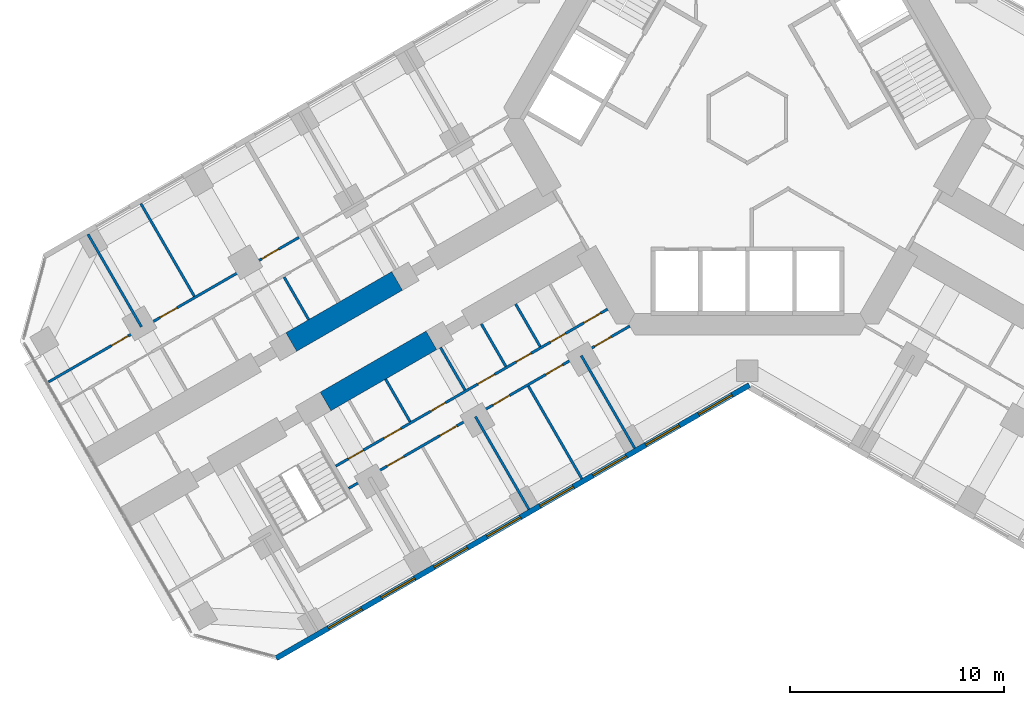
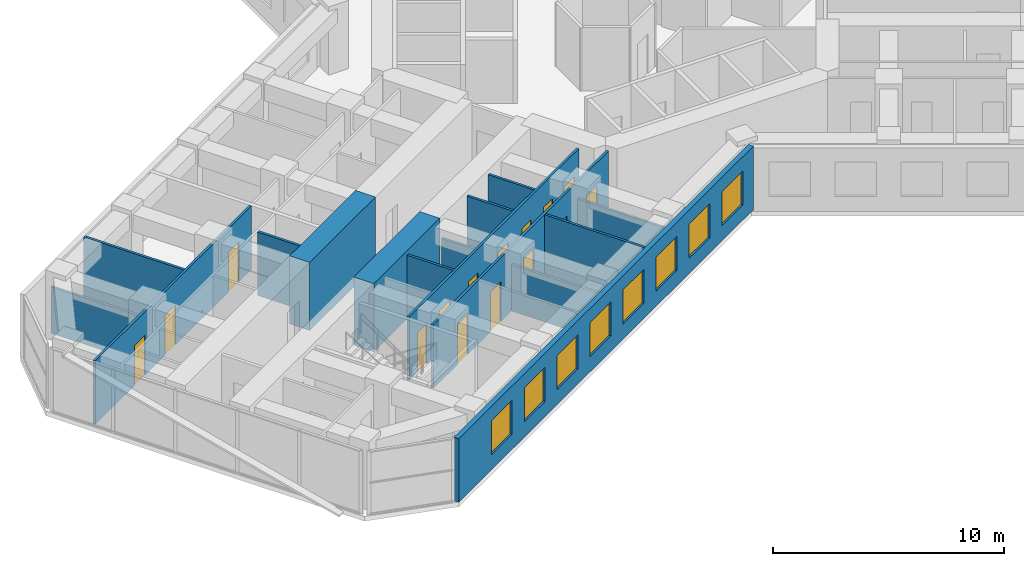
# One storey, part 11 of 21: 16 walls, 15 doors, 8 windows, 23 openings.
"""IFC4 building model written with IfcOpenShell, lengths in metres."""

import ifcopenshell
import ifcopenshell.guid

model = None  # the IFC model being written
_history = None  # IfcOwnerHistory: only IFC2X3 demands one
_inside = {}  # id of a spatial element -> (the spatial element, [elements in it])
_under = {}  # id of a project, library or spatial element -> (it, [spatial elements below it])
_declared = {}  # id of a project -> (the project, [libraries it declares])
_typed = {}  # id of a type object -> (the type object, [elements of that type])
_made_of = {}  # id of a material, layer set ... -> (it, [elements and type objects made of it])


def new_model(schema):
    """Start an empty IFC model of exactly this schema.

    Asked for "IFC4X3", IfcOpenShell would pick the latest addendum, in which some entities
    have other attributes; the version numbers below select the first issue.
    IFC2X3 requires an IfcOwnerHistory on every rooted entity: one is made here for all.
    """
    global model, _history
    if schema == "IFC4X3":
        model = ifcopenshell.file(schema_version=(4, 3, 0, 0))
    else:
        model = ifcopenshell.file(schema=schema)
    _inside.clear()
    _under.clear()
    _declared.clear()
    _typed.clear()
    _made_of.clear()
    _history = None
    if model.schema == "IFC2X3":
        org = make("IfcOrganization", Name="unknown")
        user = make(
            "IfcPersonAndOrganization",
            ThePerson=make("IfcPerson", FamilyName="unknown"),
            TheOrganization=org,
        )
        app = make(
            "IfcApplication",
            ApplicationDeveloper=org,
            Version="unknown",
            ApplicationFullName="unknown",
            ApplicationIdentifier="unknown",
        )
        _history = make(
            "IfcOwnerHistory",
            OwningUser=user,
            OwningApplication=app,
            ChangeAction="ADDED",
            CreationDate=0,
        )
    return model


def make(cls, **values):
    """One entity of the class cls with the attributes given. An attribute that is None is left unset."""
    return model.create_entity(
        cls, **{name: value for name, value in values.items() if value is not None}
    )


def rooted(cls, **values):
    """An entity with a GlobalId (a new one), such as an element, a storey or a relation."""
    return make(cls, GlobalId=ifcopenshell.guid.new(), OwnerHistory=_history, **values)


def si_unit(unit_type, name, prefix=None):
    """IfcSIUnit, for example si_unit("LENGTHUNIT", "METRE", prefix="MILLI")."""
    return make("IfcSIUnit", UnitType=unit_type, Prefix=prefix, Name=name)


def assignment(units):
    """IfcUnitAssignment: the units of a project."""
    return None if units is None else make("IfcUnitAssignment", Units=units)


def point(xyz):
    """IfcCartesianPoint."""
    return None if xyz is None else make("IfcCartesianPoint", Coordinates=xyz)


def direction(xyz):
    """IfcDirection."""
    return None if xyz is None else make("IfcDirection", DirectionRatios=xyz)


def frame(location, z_axis=None, x_axis=None):
    """IfcAxis2Placement3D, a coordinate frame: its origin and axes. An axis left out is left unset."""
    return make(
        "IfcAxis2Placement3D",
        Location=point(location),
        Axis=direction(z_axis),
        RefDirection=direction(x_axis),
    )


def frame_2d(location, x_axis=None):
    """IfcAxis2Placement2D, a coordinate frame in the plane: its origin and x axis."""
    return make(
        "IfcAxis2Placement2D", Location=point(location), RefDirection=direction(x_axis)
    )


def origin():
    """The frame at (0, 0, 0) with its axes left unset."""
    return frame((0.0, 0.0, 0.0))


def place(relative_to, where):
    """IfcLocalPlacement: puts the frame where relative to a parent placement (None: the world)."""
    return make(
        "IfcLocalPlacement", PlacementRelTo=relative_to, RelativePlacement=where
    )


def context(
    kind, dimensions, precision=None, world=None, true_north=None, identifier=None
):
    """IfcGeometricRepresentationContext, for example the 3D "Model" context."""
    return make(
        "IfcGeometricRepresentationContext",
        ContextIdentifier=identifier,
        ContextType=kind,
        CoordinateSpaceDimension=dimensions,
        Precision=precision,
        WorldCoordinateSystem=world,
        TrueNorth=true_north,
    )


def subcontext(parent, identifier, kind, view, scale=None):
    """IfcGeometricRepresentationSubContext, for example "Body" below "Model"."""
    return make(
        "IfcGeometricRepresentationSubContext",
        ContextIdentifier=identifier,
        ContextType=kind,
        ParentContext=parent,
        TargetScale=scale,
        TargetView=view,
    )


def project(units=None, contexts=None):
    """IfcProject with its units and contexts."""
    return rooted(
        "IfcProject",
        Name="project",
        RepresentationContexts=contexts,
        UnitsInContext=assignment(units),
    )


def spatial(cls, under=None, at=None, **own):
    """A site, building, storey or space (cls), placed at a placement, below another one or the project."""
    s = rooted(cls, ObjectPlacement=at, **own)
    if under is not None:
        _under.setdefault(under.id(), (under, []))[1].append(s)
    return s


def profile(cls, at=None, kind="AREA", **sizes):
    """A parametric profile (cls). Its sizes go by their IFC names, for example OverallWidth=200.0."""
    return make(cls, ProfileType=kind, Position=at, **sizes)


def rectangle(**sizes):
    """IfcRectangleProfileDef."""
    return profile("IfcRectangleProfileDef", **sizes)


def extrude(swept, where, along, depth):
    """IfcExtrudedAreaSolid: the profile swept, set in the frame where, extruded along a direction by depth."""
    return make(
        "IfcExtrudedAreaSolid",
        SweptArea=swept,
        Position=where,
        ExtrudedDirection=direction(along),
        Depth=depth,
    )


def shape(context_of_items, identifier, shape_type, items):
    """IfcShapeRepresentation: the items that make up one representation, for example the "Body"."""
    return make(
        "IfcShapeRepresentation",
        ContextOfItems=context_of_items,
        RepresentationIdentifier=identifier,
        RepresentationType=shape_type,
        Items=items,
    )


def material(Name=None, Category=None):
    """IfcMaterial."""
    return make("IfcMaterial", Name=Name, Category=Category)


def layer(
    of_material, thickness, ventilated=None, Name=None, Category=None, Priority=None
):
    """IfcMaterialLayer: one layer of a wall or slab, of a material (None: an air gap)."""
    return make(
        "IfcMaterialLayer",
        Material=of_material,
        LayerThickness=thickness,
        IsVentilated=ventilated,
        Name=Name,
        Category=Category,
        Priority=Priority,
    )


def layer_set(layers, Name=None):
    """IfcMaterialLayerSet."""
    return make("IfcMaterialLayerSet", MaterialLayers=layers, LayerSetName=Name)


def made_of(thing, what):
    """Note that an element or type object is made of a material, layer set ...; save() writes the relation."""
    if what is not None:
        _made_of.setdefault(what.id(), (what, []))[1].append(thing)
    return thing


def type_object(cls, material=None, **own):
    """A type object (cls), such as IfcWallType, which elements share."""
    return made_of(rooted(cls, **own), material)


def element(
    cls,
    number,
    at=None,
    inside=None,
    cuts=None,
    type_object=None,
    material=None,
    context=None,
    identifier="Body",
    shape_type=None,
    held_by="IfcProductDefinitionShape",
    body=None,
    shapes=None,
    **own,
):
    """One element of the class cls, such as IfcWall. Its Tag is "e" and its number.

    at: its placement. inside: the storey or other place that contains it. cuts: it is an
    opening in that element (IfcRelVoidsElement). A single representation is given by context,
    identifier, shape_type and body (its items); several are given by shapes. held_by: the class
    of the entity that holds the representations. save() writes the other relations.
    """
    e = rooted(cls, Tag="e%d" % number, ObjectPlacement=at, **own)
    if body is not None:
        shapes = [shape(context, identifier, shape_type, body)]
    if shapes is not None:
        e.Representation = make(held_by, Representations=shapes)
    if inside is not None:
        _inside.setdefault(inside.id(), (inside, []))[1].append(e)
    if cuts is not None:
        rooted(
            "IfcRelVoidsElement", RelatingBuildingElement=cuts, RelatedOpeningElement=e
        )
    if type_object is not None:
        _typed.setdefault(type_object.id(), (type_object, []))[1].append(e)
    return made_of(e, material)


def fill(opening, filler):
    """IfcRelFillsElement: the door or window that sits in an opening."""
    return rooted(
        "IfcRelFillsElement",
        RelatingOpeningElement=opening,
        RelatedBuildingElement=filler,
    )


def aggregate(whole, parts):
    """IfcRelAggregates: a whole, such as a stair, and the parts it consists of."""
    return rooted("IfcRelAggregates", RelatingObject=whole, RelatedObjects=parts)


def save(model, path):
    """Write the relations noted so far, then the file.

    IfcRelAggregates (storeys below a building ...), IfcRelContainedInSpatialStructure (elements
    in a storey), IfcRelDefinesByType, IfcRelAssociatesMaterial and IfcRelDeclares: one each for
    every whole, place, type object, material and project.
    """
    for whole, parts in _under.values():
        aggregate(whole, parts)
    for where, things in _inside.values():
        rooted(
            "IfcRelContainedInSpatialStructure",
            RelatedElements=things,
            RelatingStructure=where,
        )
    for kind, things in _typed.values():
        rooted("IfcRelDefinesByType", RelatedObjects=things, RelatingType=kind)
    for what, things in _made_of.values():
        rooted("IfcRelAssociatesMaterial", RelatedObjects=things, RelatingMaterial=what)
    for by, libraries in _declared.values():
        rooted("IfcRelDeclares", RelatingContext=by, RelatedDefinitions=libraries)
    model.write(path)


model = new_model("IFC4")

# Units and contexts
model_context = context("Model", 3, precision=1e-05, world=origin(), true_north=direction((0.0, 1.0)))
body_context = subcontext(model_context, "Body", "Model", "MODEL_VIEW")
ifc_project = project(units=[si_unit("LENGTHUNIT", "METRE"), si_unit("AREAUNIT", "SQUARE_METRE"), si_unit("VOLUMEUNIT", "CUBIC_METRE"), si_unit("PLANEANGLEUNIT", "RADIAN"), si_unit("MASSUNIT", "GRAM", prefix="KILO")], contexts=[model_context])

# Site, building, storey
site_placement = place(None, origin())
site = spatial("IfcSite", under=ifc_project, at=site_placement, CompositionType="ELEMENT")
building_placement = place(site_placement, origin())
building = spatial("IfcBuilding", under=site, at=building_placement, Name="Kosmar Iwan School Tower", CompositionType="ELEMENT")
storey_placement = place(building_placement, frame((0.0, 0.0, 71.800048828125)))
storey = spatial("IfcBuildingStorey", under=building, at=storey_placement, Name="L17", CompositionType="ELEMENT", Elevation=71.800048828125)

# Walls
ifc_material_1 = material(Name="Concrete C50/60", Category="concrete")
ifc_layer_1 = layer(ifc_material_1, 1.0)
ifc_layer_set_1 = layer_set([ifc_layer_1], Name="Corridor buttress wall 1000")
wall_type_1 = type_object("IfcWallType", Name="Corridor buttress wall 1000", PredefinedType="SHEAR", material=ifc_layer_set_1)
for number, where, z_axis, x_axis, name in (
    (1, (-14.7451171875, -10.360595703125, 0.0), (0.0, 0.0, 1.0), (-0.866015111908, -0.50001782563, 0.0), "Corridor wall BL bay 2"),
    (2, (-16.34521484375, -7.58935546875, 0.0), (0.0, 0.0, 1.0), (-0.866015111908, -0.50001782563, 0.0), "Corridor wall BR bay 2"),
):
    element("IfcWall", number, at=place(storey_placement, frame(where, z_axis=z_axis, x_axis=x_axis)), inside=storey, type_object=wall_type_1, Name=name, PredefinedType="SHEAR", context=body_context, shape_type="SweptSolid", body=[
        extrude(rectangle(XDim=5.699951171875, YDim=1.0, at=frame_2d((2.85009765625, 0.0))), origin(), (0.0, 0.0, 1.0), 3.599853515625),
    ])

# Wall, openings, doors
ifc_material_2 = material(Name="Gypsum board on steel studs", Category="steel")
ifc_layer_2 = layer(ifc_material_2, 0.1201171875)
ifc_layer_set_2 = layer_set([ifc_layer_2], Name="Dwelling partition 120")
wall_type_2 = type_object("IfcWallType", Name="Dwelling partition 120", PredefinedType="PARTITIONING", material=ifc_layer_set_2)
wall_1_placement = place(storey_placement, frame((-6.521728515625, -8.90380859375, 0.0), z_axis=(0.0, 0.0, 1.0), x_axis=(-0.866030734856, -0.4999907662, 0.0)))
wall_1 = element("IfcWall", 3, at=wall_1_placement, inside=storey, type_object=wall_type_2, Name="Partition L17-BL1-W1", PredefinedType="PARTITIONING", context=body_context, shape_type="SweptSolid", body=[
    extrude(rectangle(XDim=14.650146484375, YDim=0.1201171875, at=frame_2d((7.3251953125, 0.0))), origin(), (0.0, 0.0, 1.0), 3.349853515625),
])
opening_1_placement = place(wall_1_placement, frame((0.375, 0.0, 0.0)))
opening_1 = element("IfcOpeningElement", 4, at=opening_1_placement, cuts=wall_1, Name="Opening D2", PredefinedType="OPENING", context=body_context, shape_type="SweptSolid", body=[
    extrude(rectangle(XDim=0.89990234375, YDim=2.10009765625, at=frame_2d((0.449951171875, 1.050048828125))), frame((0.0, 0.072021484375, 0.0), z_axis=(0.0, -1.0, 0.0), x_axis=(1.0, 0.0, 0.0)), (0.0, 0.0, 1.0), 0.14404296875),
])
opening_2_placement = place(wall_1_placement, frame((2.27490234375, 0.0, 0.0)))
opening_2 = element("IfcOpeningElement", 5, at=opening_2_placement, cuts=wall_1, Name="Opening D3", PredefinedType="OPENING", context=body_context, shape_type="SweptSolid", body=[
    extrude(rectangle(XDim=0.800048828125, YDim=2.10009765625, at=frame_2d((0.39990234375, 1.050048828125))), frame((0.0, 0.072021484375, 0.0), z_axis=(0.0, -1.0, 0.0), x_axis=(1.0, 0.0, 0.0)), (0.0, 0.0, 1.0), 0.14404296875),
])
opening_3_placement = place(wall_1_placement, frame((4.125, 0.0, 0.0)))
opening_3 = element("IfcOpeningElement", 6, at=opening_3_placement, cuts=wall_1, Name="Opening D3", PredefinedType="OPENING", context=body_context, shape_type="SweptSolid", body=[
    extrude(rectangle(XDim=0.800048828125, YDim=2.10009765625, at=frame_2d((0.39990234375, 1.050048828125))), frame((0.0, 0.072021484375, 0.0), z_axis=(0.0, -1.0, 0.0), x_axis=(1.0, 0.0, 0.0)), (0.0, 0.0, 1.0), 0.14404296875),
])
opening_4_placement = place(wall_1_placement, frame((6.10009765625, 0.0, 0.0)))
opening_4 = element("IfcOpeningElement", 7, at=opening_4_placement, cuts=wall_1, Name="Opening D2", PredefinedType="OPENING", context=body_context, shape_type="SweptSolid", body=[
    extrude(rectangle(XDim=0.89990234375, YDim=2.10009765625, at=frame_2d((0.449951171875, 1.050048828125))), frame((0.0, 0.072021484375, 0.0), z_axis=(0.0, -1.0, 0.0), x_axis=(1.0, 0.0, 0.0)), (0.0, 0.0, 1.0), 0.14404296875),
])
opening_5_placement = place(wall_1_placement, frame((8.728515625, 0.0, 0.0)))
opening_5 = element("IfcOpeningElement", 8, at=opening_5_placement, cuts=wall_1, Name="Opening D3", PredefinedType="OPENING", context=body_context, shape_type="SweptSolid", body=[
    extrude(rectangle(XDim=0.800048828125, YDim=2.10009765625, at=frame_2d((0.39990234375, 1.050048828125))), frame((0.0, 0.072021484375, 0.0), z_axis=(0.0, -1.0, 0.0), x_axis=(1.0, 0.0, 0.0)), (0.0, 0.0, 1.0), 0.14404296875),
])
opening_6_placement = place(wall_1_placement, frame((11.142822265625, 0.0, 0.0)))
opening_6 = element("IfcOpeningElement", 9, at=opening_6_placement, cuts=wall_1, Name="Opening D2", PredefinedType="OPENING", context=body_context, shape_type="SweptSolid", body=[
    extrude(rectangle(XDim=0.89990234375, YDim=2.10009765625, at=frame_2d((0.449951171875, 1.050048828125))), frame((0.0, 0.072021484375, 0.0), z_axis=(0.0, -1.0, 0.0), x_axis=(1.0, 0.0, 0.0)), (0.0, 0.0, 1.0), 0.14404296875),
])
opening_7_placement = place(wall_1_placement, frame((13.164306640625, 0.0, 0.0)))
opening_7 = element("IfcOpeningElement", 10, at=opening_7_placement, cuts=wall_1, Name="Opening D3", PredefinedType="OPENING", context=body_context, shape_type="SweptSolid", body=[
    extrude(rectangle(XDim=0.800048828125, YDim=2.10009765625, at=frame_2d((0.39990234375, 1.050048828125))), frame((0.0, 0.072021484375, 0.0), z_axis=(0.0, -1.0, 0.0), x_axis=(1.0, 0.0, 0.0)), (0.0, 0.0, 1.0), 0.14404296875),
])
ifc_material_3 = material(Name="Timber door in timber frame", Category="wood")
door_type_1 = type_object("IfcDoorType", Name="Internal door 900x2100", OperationType="SINGLE_SWING_LEFT", PredefinedType="DOOR", material=ifc_material_3)
door_1_placement = place(opening_1_placement, origin())
door_1 = element("IfcDoor", 11, at=door_1_placement, inside=storey, type_object=door_type_1, Name="Utility room door L17-BL1-S1", OperationType="SINGLE_SWING_LEFT", OverallHeight=2.10009765625, OverallWidth=0.89990234375, PredefinedType="DOOR", context=body_context, shape_type="SweptSolid", body=[
    extrude(rectangle(XDim=0.89990234375, YDim=2.10009765625, at=frame_2d((0.449951171875, 1.050048828125))), frame((0.0, 0.02490234375, 0.0), z_axis=(0.0, -1.0, 0.0), x_axis=(1.0, 0.0, 0.0)), (0.0, 0.0, 1.0), 0.050048828125),
])
fill(opening_1, door_1)
door_2_placement = place(opening_4_placement, origin())
door_2 = element("IfcDoor", 12, at=door_2_placement, inside=storey, type_object=door_type_1, Name="Entrance hall door L17-BL1-S4", OperationType="SINGLE_SWING_LEFT", OverallHeight=2.10009765625, OverallWidth=0.89990234375, PredefinedType="DOOR", context=body_context, shape_type="SweptSolid", body=[
    extrude(rectangle(XDim=0.89990234375, YDim=2.10009765625, at=frame_2d((0.449951171875, 1.050048828125))), frame((0.0, 0.02490234375, 0.0), z_axis=(0.0, -1.0, 0.0), x_axis=(1.0, 0.0, 0.0)), (0.0, 0.0, 1.0), 0.050048828125),
])
fill(opening_4, door_2)
door_3_placement = place(opening_6_placement, origin())
door_3 = element("IfcDoor", 13, at=door_3_placement, inside=storey, type_object=door_type_1, Name="Pantry door L17-BL1-S6", OperationType="SINGLE_SWING_RIGHT", OverallHeight=2.10009765625, OverallWidth=0.89990234375, PredefinedType="DOOR", context=body_context, shape_type="SweptSolid", body=[
    extrude(rectangle(XDim=0.89990234375, YDim=2.10009765625, at=frame_2d((0.449951171875, 1.050048828125))), frame((0.0, 0.02490234375, 0.0), z_axis=(0.0, -1.0, 0.0), x_axis=(1.0, 0.0, 0.0)), (0.0, 0.0, 1.0), 0.050048828125),
])
fill(opening_6, door_3)
ifc_material_4 = material(Name="Timber door in timber frame", Category="wood")
door_type_2 = type_object("IfcDoorType", Name="Sanitary room door 800x2100", OperationType="SINGLE_SWING_LEFT", PredefinedType="DOOR", material=ifc_material_4)
door_4_placement = place(opening_2_placement, origin())
door_4 = element("IfcDoor", 14, at=door_4_placement, inside=storey, type_object=door_type_2, Name="WC door L17-BL1-S2", OperationType="SINGLE_SWING_LEFT", OverallHeight=2.10009765625, OverallWidth=0.800048828125, PredefinedType="DOOR", context=body_context, shape_type="SweptSolid", body=[
    extrude(rectangle(XDim=0.800048828125, YDim=2.10009765625, at=frame_2d((0.39990234375, 1.050048828125))), frame((0.0, 0.02490234375, 0.0), z_axis=(0.0, -1.0, 0.0), x_axis=(1.0, 0.0, 0.0)), (0.0, 0.0, 1.0), 0.050048828125),
])
fill(opening_2, door_4)
door_5_placement = place(opening_3_placement, origin())
door_5 = element("IfcDoor", 15, at=door_5_placement, inside=storey, type_object=door_type_2, Name="Shower room door L17-BL1-S3", OperationType="SINGLE_SWING_LEFT", OverallHeight=2.10009765625, OverallWidth=0.800048828125, PredefinedType="DOOR", context=body_context, shape_type="SweptSolid", body=[
    extrude(rectangle(XDim=0.800048828125, YDim=2.10009765625, at=frame_2d((0.39990234375, 1.050048828125))), frame((0.0, 0.02490234375, 0.0), z_axis=(0.0, -1.0, 0.0), x_axis=(1.0, 0.0, 0.0)), (0.0, 0.0, 1.0), 0.050048828125),
])
fill(opening_3, door_5)
door_6_placement = place(opening_5_placement, origin())
door_6 = element("IfcDoor", 16, at=door_6_placement, inside=storey, type_object=door_type_2, Name="Bathroom door L17-BL1-S5", OperationType="SINGLE_SWING_RIGHT", OverallHeight=2.10009765625, OverallWidth=0.800048828125, PredefinedType="DOOR", context=body_context, shape_type="SweptSolid", body=[
    extrude(rectangle(XDim=0.800048828125, YDim=2.10009765625, at=frame_2d((0.39990234375, 1.050048828125))), frame((0.0, 0.02490234375, 0.0), z_axis=(0.0, -1.0, 0.0), x_axis=(1.0, 0.0, 0.0)), (0.0, 0.0, 1.0), 0.050048828125),
])
fill(opening_5, door_6)
door_7_placement = place(opening_7_placement, origin())
door_7 = element("IfcDoor", 17, at=door_7_placement, inside=storey, type_object=door_type_2, Name="Store door L17-BL1-S7", OperationType="SINGLE_SWING_RIGHT", OverallHeight=2.10009765625, OverallWidth=0.800048828125, PredefinedType="DOOR", context=body_context, shape_type="SweptSolid", body=[
    extrude(rectangle(XDim=0.800048828125, YDim=2.10009765625, at=frame_2d((0.39990234375, 1.050048828125))), frame((0.0, 0.02490234375, 0.0), z_axis=(0.0, -1.0, 0.0), x_axis=(1.0, 0.0, 0.0)), (0.0, 0.0, 1.0), 0.050048828125),
])
fill(opening_7, door_7)

wall_2_placement = place(storey_placement, frame((-5.48876953125, -9.693115234375, 0.0), z_axis=(0.0, 0.0, 1.0), x_axis=(-0.866028061085, -0.499995397393, 0.0)))
wall_2 = element("IfcWall", 18, at=wall_2_placement, inside=storey, type_object=wall_type_2, Name="Partition L17-BL1-W2", PredefinedType="PARTITIONING", context=body_context, shape_type="SweptSolid", body=[
    extrude(rectangle(XDim=15.150146484375, YDim=0.1201171875, at=frame_2d((7.5751953125, 0.0))), origin(), (0.0, 0.0, 1.0), 3.349853515625),
])
opening_8_placement = place(wall_2_placement, frame((1.0, 0.0, 0.0)))
opening_8 = element("IfcOpeningElement", 19, at=opening_8_placement, cuts=wall_2, Name="Opening D2", PredefinedType="OPENING", context=body_context, shape_type="SweptSolid", body=[
    extrude(rectangle(XDim=0.89990234375, YDim=2.10009765625, at=frame_2d((0.449951171875, 1.050048828125))), frame((0.0, 0.072021484375, 0.0), z_axis=(0.0, -1.0, 0.0), x_axis=(1.0, 0.0, 0.0)), (0.0, 0.0, 1.0), 0.14404296875),
])
opening_9_placement = place(wall_2_placement, frame((3.625, 0.0, 0.0)))
opening_9 = element("IfcOpeningElement", 20, at=opening_9_placement, cuts=wall_2, Name="Opening D2", PredefinedType="OPENING", context=body_context, shape_type="SweptSolid", body=[
    extrude(rectangle(XDim=0.89990234375, YDim=2.10009765625, at=frame_2d((0.449951171875, 1.050048828125))), frame((0.0, 0.072021484375, 0.0), z_axis=(0.0, -1.0, 0.0), x_axis=(1.0, 0.0, 0.0)), (0.0, 0.0, 1.0), 0.14404296875),
])
opening_10_placement = place(wall_2_placement, frame((6.47509765625, 0.0, 0.0)))
opening_10 = element("IfcOpeningElement", 21, at=opening_10_placement, cuts=wall_2, Name="Opening D2", PredefinedType="OPENING", context=body_context, shape_type="SweptSolid", body=[
    extrude(rectangle(XDim=0.89990234375, YDim=2.10009765625, at=frame_2d((0.449951171875, 1.050048828125))), frame((0.0, 0.072021484375, 0.0), z_axis=(0.0, -1.0, 0.0), x_axis=(1.0, 0.0, 0.0)), (0.0, 0.0, 1.0), 0.14404296875),
])
opening_11_placement = place(wall_2_placement, frame((9.324951171875, 0.0, 0.0)))
opening_11 = element("IfcOpeningElement", 22, at=opening_11_placement, cuts=wall_2, Name="Opening D2", PredefinedType="OPENING", context=body_context, shape_type="SweptSolid", body=[
    extrude(rectangle(XDim=0.89990234375, YDim=2.10009765625, at=frame_2d((0.449951171875, 1.050048828125))), frame((0.0, 0.072021484375, 0.0), z_axis=(0.0, -1.0, 0.0), x_axis=(1.0, 0.0, 0.0)), (0.0, 0.0, 1.0), 0.14404296875),
])
opening_12_placement = place(wall_2_placement, frame((12.175048828125, 0.0, 0.0)))
opening_12 = element("IfcOpeningElement", 23, at=opening_12_placement, cuts=wall_2, Name="Opening D2", PredefinedType="OPENING", context=body_context, shape_type="SweptSolid", body=[
    extrude(rectangle(XDim=0.89990234375, YDim=2.10009765625, at=frame_2d((0.449951171875, 1.050048828125))), frame((0.0, 0.072021484375, 0.0), z_axis=(0.0, -1.0, 0.0), x_axis=(1.0, 0.0, 0.0)), (0.0, 0.0, 1.0), 0.14404296875),
])
door_8_placement = place(opening_8_placement, origin())
door_8 = element("IfcDoor", 24, at=door_8_placement, inside=storey, type_object=door_type_1, Name="Living room and kitchen door L17-BL1-F1", OperationType="SINGLE_SWING_LEFT", OverallHeight=2.10009765625, OverallWidth=0.89990234375, PredefinedType="DOOR", context=body_context, shape_type="SweptSolid", body=[
    extrude(rectangle(XDim=0.89990234375, YDim=2.10009765625, at=frame_2d((0.449951171875, 1.050048828125))), frame((0.0, 0.02490234375, 0.0), z_axis=(0.0, -1.0, 0.0), x_axis=(1.0, 0.0, 0.0)), (0.0, 0.0, 1.0), 0.050048828125),
])
fill(opening_8, door_8)
door_9_placement = place(opening_9_placement, origin())
door_9 = element("IfcDoor", 25, at=door_9_placement, inside=storey, type_object=door_type_1, Name="Study door L17-BL1-F2", OperationType="SINGLE_SWING_RIGHT", OverallHeight=2.10009765625, OverallWidth=0.89990234375, PredefinedType="DOOR", context=body_context, shape_type="SweptSolid", body=[
    extrude(rectangle(XDim=0.89990234375, YDim=2.10009765625, at=frame_2d((0.449951171875, 1.050048828125))), frame((0.0, 0.02490234375, 0.0), z_axis=(0.0, -1.0, 0.0), x_axis=(1.0, 0.0, 0.0)), (0.0, 0.0, 1.0), 0.050048828125),
])
fill(opening_9, door_9)
door_10_placement = place(opening_10_placement, origin())
door_10 = element("IfcDoor", 26, at=door_10_placement, inside=storey, type_object=door_type_1, Name="Bedroom 1 door L17-BL1-F3", OperationType="SINGLE_SWING_LEFT", OverallHeight=2.10009765625, OverallWidth=0.89990234375, PredefinedType="DOOR", context=body_context, shape_type="SweptSolid", body=[
    extrude(rectangle(XDim=0.89990234375, YDim=2.10009765625, at=frame_2d((0.449951171875, 1.050048828125))), frame((0.0, 0.02490234375, 0.0), z_axis=(0.0, -1.0, 0.0), x_axis=(1.0, 0.0, 0.0)), (0.0, 0.0, 1.0), 0.050048828125),
])
fill(opening_10, door_10)
door_11_placement = place(opening_11_placement, origin())
door_11 = element("IfcDoor", 27, at=door_11_placement, inside=storey, type_object=door_type_1, Name="Study door L17-BL1-F4", OperationType="SINGLE_SWING_RIGHT", OverallHeight=2.10009765625, OverallWidth=0.89990234375, PredefinedType="DOOR", context=body_context, shape_type="SweptSolid", body=[
    extrude(rectangle(XDim=0.89990234375, YDim=2.10009765625, at=frame_2d((0.449951171875, 1.050048828125))), frame((0.0, 0.02490234375, 0.0), z_axis=(0.0, -1.0, 0.0), x_axis=(1.0, 0.0, 0.0)), (0.0, 0.0, 1.0), 0.050048828125),
])
fill(opening_11, door_11)
door_12_placement = place(opening_12_placement, origin())
door_12 = element("IfcDoor", 28, at=door_12_placement, inside=storey, type_object=door_type_1, Name="Bedroom 2 door L17-BL1-F5", OperationType="SINGLE_SWING_LEFT", OverallHeight=2.10009765625, OverallWidth=0.89990234375, PredefinedType="DOOR", context=body_context, shape_type="SweptSolid", body=[
    extrude(rectangle(XDim=0.89990234375, YDim=2.10009765625, at=frame_2d((0.449951171875, 1.050048828125))), frame((0.0, 0.02490234375, 0.0), z_axis=(0.0, -1.0, 0.0), x_axis=(1.0, 0.0, 0.0)), (0.0, 0.0, 1.0), 0.050048828125),
])
fill(opening_12, door_12)

# Walls
wall_3_placement = place(storey_placement, frame((-7.75390625, -11.070068359375, 0.0), z_axis=(0.0, 0.0, 1.0), x_axis=(0.500033033937, -0.866006330792, 0.0)))
element("IfcWall", 29, at=wall_3_placement, inside=storey, type_object=wall_type_2, Name="Partition L17-BL1-X1", PredefinedType="PARTITIONING", context=body_context, shape_type="SweptSolid", body=[
    extrude(rectangle(XDim=4.989990234375, YDim=0.1201171875, at=frame_2d((2.4951171875, 0.0))), origin(), (0.0, 0.0, 1.0), 2.449951171875),
])
wall_4_placement = place(storey_placement, frame((-10.221923828125, -12.4951171875, 0.0), z_axis=(0.0, 0.0, 1.0), x_axis=(0.499996339024, -0.86602751744, 0.0)))
element("IfcWall", 30, at=wall_4_placement, inside=storey, type_object=wall_type_2, Name="Partition L17-BL1-X2", PredefinedType="PARTITIONING", context=body_context, shape_type="SweptSolid", body=[
    extrude(rectangle(XDim=4.98974609375, YDim=0.1201171875, at=frame_2d((2.494873046875, 0.0))), origin(), (0.0, 0.0, 1.0), 3.349853515625),
])
wall_5_placement = place(storey_placement, frame((-12.690185546875, -13.919921875, 0.0), z_axis=(0.0, 0.0, 1.0), x_axis=(0.500011847778, -0.866018563358, 0.0)))
element("IfcWall", 31, at=wall_5_placement, inside=storey, type_object=wall_type_2, Name="Partition L17-BL1-X3", PredefinedType="PARTITIONING", context=body_context, shape_type="SweptSolid", body=[
    extrude(rectangle(XDim=4.990234375, YDim=0.1201171875, at=frame_2d((2.4951171875, 0.0))), origin(), (0.0, 0.0, 1.0), 2.449951171875),
])
for number, where, z_axis, x_axis, name in (
    (32, (-10.814453125, -8.668701171875, 0.0), (0.0, 0.0, 1.0), (0.500014693593, -0.866016920268, 0.0), "Partition L17-BL1-Y2"),
    (33, (-12.416748046875, -9.59375, 0.0), (0.0, 0.0, 1.0), (0.500014693593, -0.866016920268, 0.0), "Partition L17-BL1-Y3"),
):
    element("IfcWall", number, at=place(storey_placement, frame(where, z_axis=z_axis, x_axis=x_axis)), inside=storey, type_object=wall_type_2, Name=name, PredefinedType="PARTITIONING", context=body_context, shape_type="SweptSolid", body=[
        extrude(rectangle(XDim=2.2900390625, YDim=0.1201171875, at=frame_2d((1.14501953125, 0.0))), origin(), (0.0, 0.0, 1.0), 3.349853515625),
    ])
wall_6_placement = place(storey_placement, frame((-14.322021484375, -10.693603515625, 0.0), z_axis=(0.0, 0.0, 1.0), x_axis=(0.500014693593, -0.866016920268, 0.0)))
element("IfcWall", 34, at=wall_6_placement, inside=storey, type_object=wall_type_2, Name="Partition L17-BL1-Y4", PredefinedType="PARTITIONING", context=body_context, shape_type="SweptSolid", body=[
    extrude(rectangle(XDim=2.2900390625, YDim=0.1201171875, at=frame_2d((1.14501953125, 0.0))), origin(), (0.0, 0.0, 1.0), 2.449951171875),
])
wall_7_placement = place(storey_placement, frame((-16.8828125, -12.172119140625, 0.0), z_axis=(0.0, 0.0, 1.0), x_axis=(0.499968531483, -0.866043571379, 0.0)))
element("IfcWall", 35, at=wall_7_placement, inside=storey, type_object=wall_type_2, Name="Partition L17-BL1-Y5", PredefinedType="PARTITIONING", context=body_context, shape_type="SweptSolid", body=[
    extrude(rectangle(XDim=2.290283203125, YDim=0.1201171875, at=frame_2d((1.14501953125, 0.0))), origin(), (0.0, 0.0, 1.0), 3.349853515625),
])

# Wall, openings, doors
wall_8_placement = place(storey_placement, frame((-20.9248046875, -5.556884765625, 0.0), z_axis=(0.0, 0.0, 1.0), x_axis=(-0.866028025956, -0.499995458239, 0.0)))
wall_8 = element("IfcWall", 36, at=wall_8_placement, inside=storey, type_object=wall_type_2, Name="Partition L17-BR2-W2", PredefinedType="PARTITIONING", context=body_context, shape_type="SweptSolid", body=[
    extrude(rectangle(XDim=13.495361328125, YDim=0.1201171875, at=frame_2d((6.74755859375, 0.0))), origin(), (0.0, 0.0, 1.0), 3.349853515625),
])
opening_13_placement = place(wall_8_placement, frame((1.10009765625, 0.0, 0.0)))
opening_13 = element("IfcOpeningElement", 37, at=opening_13_placement, cuts=wall_8, Name="Opening D2", PredefinedType="OPENING", context=body_context, shape_type="SweptSolid", body=[
    extrude(rectangle(XDim=0.89990234375, YDim=2.10009765625, at=frame_2d((0.449951171875, 1.050048828125))), frame((0.0, 0.072021484375, 0.0), z_axis=(0.0, -1.0, 0.0), x_axis=(1.0, 0.0, 0.0)), (0.0, 0.0, 1.0), 0.14404296875),
])
opening_14_placement = place(wall_8_placement, frame((6.574951171875, 0.0, 0.0)))
opening_14 = element("IfcOpeningElement", 38, at=opening_14_placement, cuts=wall_8, Name="Opening D2", PredefinedType="OPENING", context=body_context, shape_type="SweptSolid", body=[
    extrude(rectangle(XDim=0.89990234375, YDim=2.10009765625, at=frame_2d((0.449951171875, 1.050048828125))), frame((0.0, 0.072021484375, 0.0), z_axis=(0.0, -1.0, 0.0), x_axis=(1.0, 0.0, 0.0)), (0.0, 0.0, 1.0), 0.14404296875),
])
opening_15_placement = place(wall_8_placement, frame((9.199951171875, 0.0, 0.0)))
opening_15 = element("IfcOpeningElement", 39, at=opening_15_placement, cuts=wall_8, Name="Opening D2", PredefinedType="OPENING", context=body_context, shape_type="SweptSolid", body=[
    extrude(rectangle(XDim=0.89990234375, YDim=2.10009765625, at=frame_2d((0.449951171875, 1.050048828125))), frame((0.0, 0.072021484375, 0.0), z_axis=(0.0, -1.0, 0.0), x_axis=(1.0, 0.0, 0.0)), (0.0, 0.0, 1.0), 0.14404296875),
])
door_13_placement = place(opening_13_placement, origin())
door_13 = element("IfcDoor", 40, at=door_13_placement, inside=storey, type_object=door_type_1, Name="Living room and kitchen door L17-BR2-F1", OperationType="SINGLE_SWING_LEFT", OverallHeight=2.10009765625, OverallWidth=0.89990234375, PredefinedType="DOOR", context=body_context, shape_type="SweptSolid", body=[
    extrude(rectangle(XDim=0.89990234375, YDim=2.10009765625, at=frame_2d((0.449951171875, 1.050048828125))), frame((0.0, 0.02490234375, 0.0), z_axis=(0.0, -1.0, 0.0), x_axis=(1.0, 0.0, 0.0)), (0.0, 0.0, 1.0), 0.050048828125),
])
fill(opening_13, door_13)
door_14_placement = place(opening_14_placement, origin())
door_14 = element("IfcDoor", 41, at=door_14_placement, inside=storey, type_object=door_type_1, Name="Bedroom 1 door L17-BR2-F2", OperationType="SINGLE_SWING_RIGHT", OverallHeight=2.10009765625, OverallWidth=0.89990234375, PredefinedType="DOOR", context=body_context, shape_type="SweptSolid", body=[
    extrude(rectangle(XDim=0.89990234375, YDim=2.10009765625, at=frame_2d((0.449951171875, 1.050048828125))), frame((0.0, 0.02490234375, 0.0), z_axis=(0.0, -1.0, 0.0), x_axis=(1.0, 0.0, 0.0)), (0.0, 0.0, 1.0), 0.050048828125),
])
fill(opening_14, door_14)
door_15_placement = place(opening_15_placement, origin())
door_15 = element("IfcDoor", 42, at=door_15_placement, inside=storey, type_object=door_type_1, Name="Study door L17-BR2-F3", OperationType="SINGLE_SWING_RIGHT", OverallHeight=2.10009765625, OverallWidth=0.89990234375, PredefinedType="DOOR", context=body_context, shape_type="SweptSolid", body=[
    extrude(rectangle(XDim=0.89990234375, YDim=2.10009765625, at=frame_2d((0.449951171875, 1.050048828125))), frame((0.0, 0.02490234375, 0.0), z_axis=(0.0, -1.0, 0.0), x_axis=(1.0, 0.0, 0.0)), (0.0, 0.0, 1.0), 0.050048828125),
])
fill(opening_15, door_15)

# Walls
wall_9_placement = place(storey_placement, frame((-25.8046875, -8.304931640625, 0.0), z_axis=(0.0, 0.0, 1.0), x_axis=(-0.499975153383, 0.86603974851, 0.0)))
element("IfcWall", 43, at=wall_9_placement, inside=storey, type_object=wall_type_2, Name="Partition L17-BR2-X1", PredefinedType="PARTITIONING", context=body_context, shape_type="SweptSolid", body=[
    extrude(rectangle(XDim=4.989990234375, YDim=0.1201171875, at=frame_2d((2.4951171875, 0.0))), origin(), (0.0, 0.0, 1.0), 3.349853515625),
])
wall_10_placement = place(storey_placement, frame((-28.27294921875, -9.72998046875, 0.0), z_axis=(0.0, 0.0, 1.0), x_axis=(-0.499975153383, 0.86603974851, 0.0)))
element("IfcWall", 44, at=wall_10_placement, inside=storey, type_object=wall_type_2, Name="Partition L17-BR2-X2", PredefinedType="PARTITIONING", context=body_context, shape_type="SweptSolid", body=[
    extrude(rectangle(XDim=4.989990234375, YDim=0.1201171875, at=frame_2d((2.4951171875, 0.0))), origin(), (0.0, 0.0, 1.0), 2.449951171875),
])
wall_11_placement = place(storey_placement, frame((-20.470703125, -9.393798828125, 0.0), z_axis=(0.0, 0.0, 1.0), x_axis=(-0.500014693593, 0.866016920268, 0.0)))
element("IfcWall", 45, at=wall_11_placement, inside=storey, type_object=wall_type_2, Name="Partition L17-BR2-Y1", PredefinedType="PARTITIONING", context=body_context, shape_type="SweptSolid", body=[
    extrude(rectangle(XDim=2.2900390625, YDim=0.1201171875, at=frame_2d((1.14501953125, 0.0))), origin(), (0.0, 0.0, 1.0), 3.349853515625),
])

# Wall, openings, windows
ifc_material_5 = material(Name="Black aluminium rainscreen on insulated framing", Category="aluminium")
ifc_layer_3 = layer(ifc_material_5, 0.25)
ifc_layer_set_3 = layer_set([ifc_layer_3], Name="External wall rainscreen 250")
wall_type_3 = type_object("IfcWallType", Name="External wall rainscreen 250", PredefinedType="SOLIDWALL", material=ifc_layer_set_3)
wall_12_placement = place(storey_placement, frame((0.088134765625, -12.44873046875, 0.0), z_axis=(0.0, 0.0, 1.0), x_axis=(-0.866026390279, -0.499998291337, 0.0)))
wall_12 = element("IfcWall", 46, at=wall_12_placement, inside=storey, type_object=wall_type_3, Name="External wall BL L17", PredefinedType="SOLIDWALL", context=body_context, shape_type="SweptSolid", body=[
    extrude(rectangle(XDim=25.4873046875, YDim=0.25, at=frame_2d((12.74365234375, 0.0))), origin(), (0.0, 0.0, 1.0), 3.349853515625),
])
opening_16_placement = place(wall_12_placement, frame((0.927001953125, 0.0, 0.800048828125)))
opening_16 = element("IfcOpeningElement", 47, at=opening_16_placement, cuts=wall_12, Name="Opening W1", PredefinedType="OPENING", context=body_context, shape_type="SweptSolid", body=[
    extrude(rectangle(XDim=1.800048828125, YDim=1.800048828125, at=frame_2d((0.89990234375, 0.89990234375))), frame((0.0, 0.136962890625, 0.0), z_axis=(0.0, -1.0, 0.0), x_axis=(1.0, 0.0, 0.0)), (0.0, 0.0, 1.0), 0.27392578125),
])
opening_17_placement = place(wall_12_placement, frame((3.777099609375, 0.0, 0.800048828125)))
opening_17 = element("IfcOpeningElement", 48, at=opening_17_placement, cuts=wall_12, Name="Opening W1", PredefinedType="OPENING", context=body_context, shape_type="SweptSolid", body=[
    extrude(rectangle(XDim=1.800048828125, YDim=1.800048828125, at=frame_2d((0.89990234375, 0.89990234375))), frame((0.0, 0.136962890625, 0.0), z_axis=(0.0, -1.0, 0.0), x_axis=(1.0, 0.0, 0.0)), (0.0, 0.0, 1.0), 0.27392578125),
])
opening_18_placement = place(wall_12_placement, frame((6.626953125, 0.0, 0.800048828125)))
opening_18 = element("IfcOpeningElement", 49, at=opening_18_placement, cuts=wall_12, Name="Opening W1", PredefinedType="OPENING", context=body_context, shape_type="SweptSolid", body=[
    extrude(rectangle(XDim=1.800048828125, YDim=1.800048828125, at=frame_2d((0.89990234375, 0.89990234375))), frame((0.0, 0.136962890625, 0.0), z_axis=(0.0, -1.0, 0.0), x_axis=(1.0, 0.0, 0.0)), (0.0, 0.0, 1.0), 0.27392578125),
])
opening_19_placement = place(wall_12_placement, frame((9.47705078125, 0.0, 0.800048828125)))
opening_19 = element("IfcOpeningElement", 50, at=opening_19_placement, cuts=wall_12, Name="Opening W1", PredefinedType="OPENING", context=body_context, shape_type="SweptSolid", body=[
    extrude(rectangle(XDim=1.800048828125, YDim=1.800048828125, at=frame_2d((0.89990234375, 0.89990234375))), frame((0.0, 0.136962890625, 0.0), z_axis=(0.0, -1.0, 0.0), x_axis=(1.0, 0.0, 0.0)), (0.0, 0.0, 1.0), 0.27392578125),
])
opening_20_placement = place(wall_12_placement, frame((12.326904296875, 0.0, 0.800048828125)))
opening_20 = element("IfcOpeningElement", 51, at=opening_20_placement, cuts=wall_12, Name="Opening W1", PredefinedType="OPENING", context=body_context, shape_type="SweptSolid", body=[
    extrude(rectangle(XDim=1.800048828125, YDim=1.800048828125, at=frame_2d((0.89990234375, 0.89990234375))), frame((0.0, 0.136962890625, 0.0), z_axis=(0.0, -1.0, 0.0), x_axis=(1.0, 0.0, 0.0)), (0.0, 0.0, 1.0), 0.27392578125),
])
opening_21_placement = place(wall_12_placement, frame((15.177001953125, 0.0, 0.800048828125)))
opening_21 = element("IfcOpeningElement", 52, at=opening_21_placement, cuts=wall_12, Name="Opening W1", PredefinedType="OPENING", context=body_context, shape_type="SweptSolid", body=[
    extrude(rectangle(XDim=1.800048828125, YDim=1.800048828125, at=frame_2d((0.89990234375, 0.89990234375))), frame((0.0, 0.136962890625, 0.0), z_axis=(0.0, -1.0, 0.0), x_axis=(1.0, 0.0, 0.0)), (0.0, 0.0, 1.0), 0.27392578125),
])
opening_22_placement = place(wall_12_placement, frame((18.027099609375, 0.0, 0.800048828125)))
opening_22 = element("IfcOpeningElement", 53, at=opening_22_placement, cuts=wall_12, Name="Opening W1", PredefinedType="OPENING", context=body_context, shape_type="SweptSolid", body=[
    extrude(rectangle(XDim=1.800048828125, YDim=1.800048828125, at=frame_2d((0.89990234375, 0.89990234375))), frame((0.0, 0.136962890625, 0.0), z_axis=(0.0, -1.0, 0.0), x_axis=(1.0, 0.0, 0.0)), (0.0, 0.0, 1.0), 0.27392578125),
])
opening_23_placement = place(wall_12_placement, frame((20.876953125, 0.0, 0.800048828125)))
opening_23 = element("IfcOpeningElement", 54, at=opening_23_placement, cuts=wall_12, Name="Opening W1", PredefinedType="OPENING", context=body_context, shape_type="SweptSolid", body=[
    extrude(rectangle(XDim=1.800048828125, YDim=1.800048828125, at=frame_2d((0.89990234375, 0.89990234375))), frame((0.0, 0.136962890625, 0.0), z_axis=(0.0, -1.0, 0.0), x_axis=(1.0, 0.0, 0.0)), (0.0, 0.0, 1.0), 0.27392578125),
])
ifc_material_6 = material(Name="Black aluminium frame with dark triple glazing", Category="aluminium")
window_type = type_object("IfcWindowType", Name="Window 1800x1800", PartitioningType="SINGLE_PANEL", PredefinedType="WINDOW", material=ifc_material_6)
window_1_placement = place(opening_16_placement, origin())
window_1 = element("IfcWindow", 55, at=window_1_placement, inside=storey, type_object=window_type, Name="Window BL L17 -1", OverallHeight=1.800048828125, OverallWidth=1.800048828125, PartitioningType="SINGLE_PANEL", PredefinedType="WINDOW", context=body_context, shape_type="SweptSolid", body=[
    extrude(rectangle(XDim=1.800048828125, YDim=1.800048828125, at=frame_2d((0.89990234375, 0.89990234375))), frame((0.0, 0.030029296875, 0.0), z_axis=(0.0, -1.0, 0.0), x_axis=(1.0, 0.0, 0.0)), (0.0, 0.0, 1.0), 0.06005859375),
])
fill(opening_16, window_1)
window_2_placement = place(opening_17_placement, origin())
window_2 = element("IfcWindow", 56, at=window_2_placement, inside=storey, type_object=window_type, Name="Window BL L17 0", OverallHeight=1.800048828125, OverallWidth=1.800048828125, PartitioningType="SINGLE_PANEL", PredefinedType="WINDOW", context=body_context, shape_type="SweptSolid", body=[
    extrude(rectangle(XDim=1.800048828125, YDim=1.800048828125, at=frame_2d((0.89990234375, 0.89990234375))), frame((0.0, 0.030029296875, 0.0), z_axis=(0.0, -1.0, 0.0), x_axis=(1.0, 0.0, 0.0)), (0.0, 0.0, 1.0), 0.06005859375),
])
fill(opening_17, window_2)
window_3_placement = place(opening_18_placement, origin())
window_3 = element("IfcWindow", 57, at=window_3_placement, inside=storey, type_object=window_type, Name="Window BL L17 1", OverallHeight=1.800048828125, OverallWidth=1.800048828125, PartitioningType="SINGLE_PANEL", PredefinedType="WINDOW", context=body_context, shape_type="SweptSolid", body=[
    extrude(rectangle(XDim=1.800048828125, YDim=1.800048828125, at=frame_2d((0.89990234375, 0.89990234375))), frame((0.0, 0.030029296875, 0.0), z_axis=(0.0, -1.0, 0.0), x_axis=(1.0, 0.0, 0.0)), (0.0, 0.0, 1.0), 0.06005859375),
])
fill(opening_18, window_3)
window_4_placement = place(opening_19_placement, origin())
window_4 = element("IfcWindow", 58, at=window_4_placement, inside=storey, type_object=window_type, Name="Window BL L17 2", OverallHeight=1.800048828125, OverallWidth=1.800048828125, PartitioningType="SINGLE_PANEL", PredefinedType="WINDOW", context=body_context, shape_type="SweptSolid", body=[
    extrude(rectangle(XDim=1.800048828125, YDim=1.800048828125, at=frame_2d((0.89990234375, 0.89990234375))), frame((0.0, 0.030029296875, 0.0), z_axis=(0.0, -1.0, 0.0), x_axis=(1.0, 0.0, 0.0)), (0.0, 0.0, 1.0), 0.06005859375),
])
fill(opening_19, window_4)
window_5_placement = place(opening_20_placement, origin())
window_5 = element("IfcWindow", 59, at=window_5_placement, inside=storey, type_object=window_type, Name="Window BL L17 3", OverallHeight=1.800048828125, OverallWidth=1.800048828125, PartitioningType="SINGLE_PANEL", PredefinedType="WINDOW", context=body_context, shape_type="SweptSolid", body=[
    extrude(rectangle(XDim=1.800048828125, YDim=1.800048828125, at=frame_2d((0.89990234375, 0.89990234375))), frame((0.0, 0.030029296875, 0.0), z_axis=(0.0, -1.0, 0.0), x_axis=(1.0, 0.0, 0.0)), (0.0, 0.0, 1.0), 0.06005859375),
])
fill(opening_20, window_5)
window_6_placement = place(opening_21_placement, origin())
window_6 = element("IfcWindow", 60, at=window_6_placement, inside=storey, type_object=window_type, Name="Window BL L17 4", OverallHeight=1.800048828125, OverallWidth=1.800048828125, PartitioningType="SINGLE_PANEL", PredefinedType="WINDOW", context=body_context, shape_type="SweptSolid", body=[
    extrude(rectangle(XDim=1.800048828125, YDim=1.800048828125, at=frame_2d((0.89990234375, 0.89990234375))), frame((0.0, 0.030029296875, 0.0), z_axis=(0.0, -1.0, 0.0), x_axis=(1.0, 0.0, 0.0)), (0.0, 0.0, 1.0), 0.06005859375),
])
fill(opening_21, window_6)
window_7_placement = place(opening_22_placement, origin())
window_7 = element("IfcWindow", 61, at=window_7_placement, inside=storey, type_object=window_type, Name="Window BL L17 5", OverallHeight=1.800048828125, OverallWidth=1.800048828125, PartitioningType="SINGLE_PANEL", PredefinedType="WINDOW", context=body_context, shape_type="SweptSolid", body=[
    extrude(rectangle(XDim=1.800048828125, YDim=1.800048828125, at=frame_2d((0.89990234375, 0.89990234375))), frame((0.0, 0.030029296875, 0.0), z_axis=(0.0, -1.0, 0.0), x_axis=(1.0, 0.0, 0.0)), (0.0, 0.0, 1.0), 0.06005859375),
])
fill(opening_22, window_7)
window_8_placement = place(opening_23_placement, origin())
window_8 = element("IfcWindow", 62, at=window_8_placement, inside=storey, type_object=window_type, Name="Window BL L17 6", OverallHeight=1.800048828125, OverallWidth=1.800048828125, PartitioningType="SINGLE_PANEL", PredefinedType="WINDOW", context=body_context, shape_type="SweptSolid", body=[
    extrude(rectangle(XDim=1.800048828125, YDim=1.800048828125, at=frame_2d((0.89990234375, 0.89990234375))), frame((0.0, 0.030029296875, 0.0), z_axis=(0.0, -1.0, 0.0), x_axis=(1.0, 0.0, 0.0)), (0.0, 0.0, 1.0), 0.06005859375),
])
fill(opening_23, window_8)

save(model, "model.ifc")
